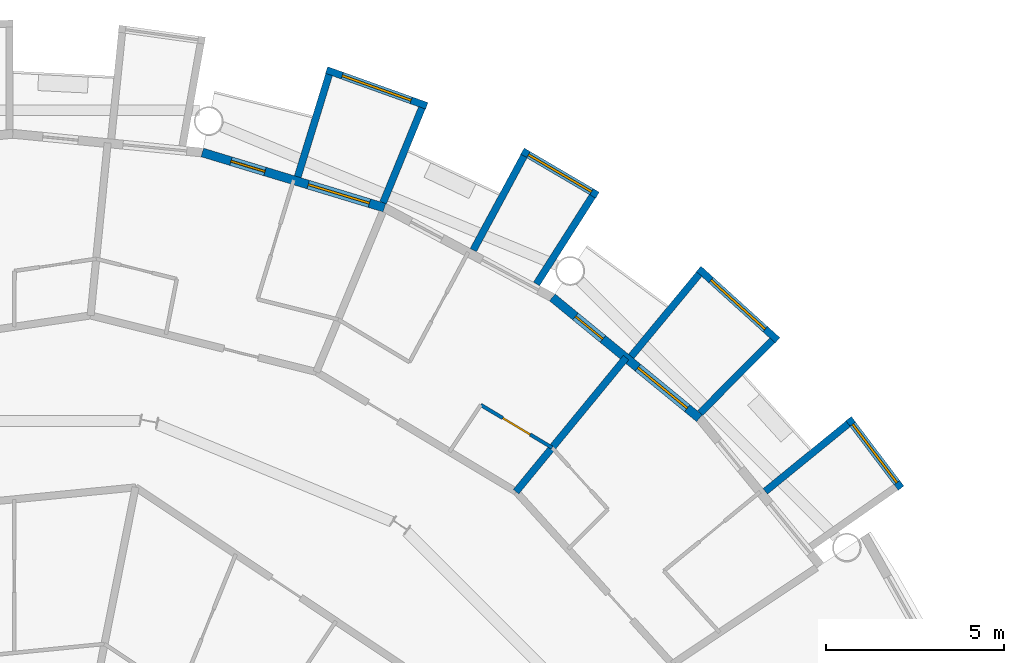
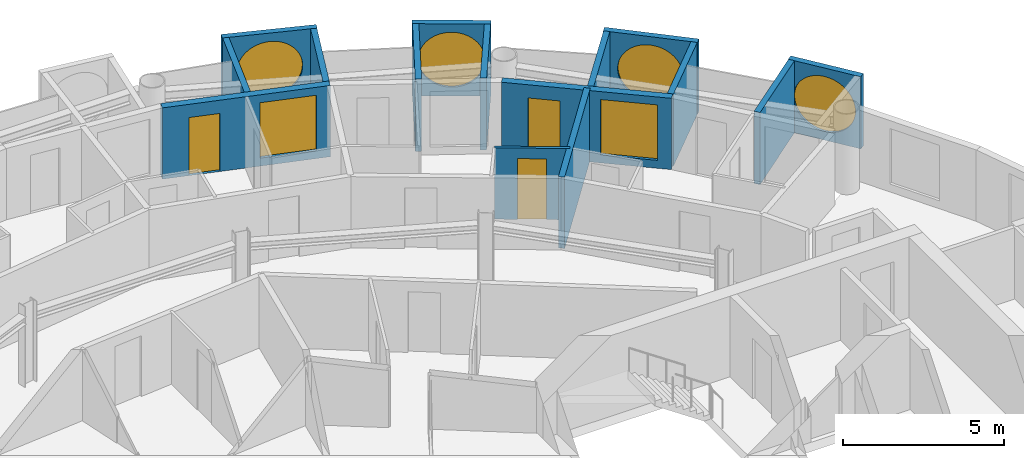
# One storey, part 23 of 27: 15 walls, 6 windows, 3 doors, 9 openings.
"""IFC4 building model written with IfcOpenShell, lengths in metres."""

from ifc_helpers import new_model, si_unit, direction, frame, frame_2d, origin, place, context, subcontext, project, spatial, rectangle, circle, extrude, material, layer, layer_set, type_object, element, fill, save


model = new_model("IFC4")

# Units and contexts
model_context = context("Model", 3, precision=1e-05, world=origin(), true_north=direction((0.0, 1.0)))
body_context = subcontext(model_context, "Body", "Model", "MODEL_VIEW")
ifc_project = project(units=[si_unit("LENGTHUNIT", "METRE"), si_unit("AREAUNIT", "SQUARE_METRE"), si_unit("VOLUMEUNIT", "CUBIC_METRE"), si_unit("PLANEANGLEUNIT", "RADIAN"), si_unit("MASSUNIT", "GRAM", prefix="KILO")], contexts=[model_context])

# Site, building, storey
site_placement = place(None, origin())
site = spatial("IfcSite", under=ifc_project, at=site_placement, CompositionType="ELEMENT")
building_placement = place(site_placement, origin())
building = spatial("IfcBuilding", under=site, at=building_placement, Name="Maasbend Ring Residences", CompositionType="ELEMENT")
storey_placement = place(building_placement, frame((0.0, 0.0, 148.25)))
storey = spatial("IfcBuildingStorey", under=building, at=storey_placement, Name="L42", CompositionType="ELEMENT", Elevation=148.25)

# Wall, opening, window
ifc_material_1 = material(Name="Pale anodised aluminium panel", Category="aluminium")
ifc_layer_1 = layer(ifc_material_1, 0.199951171875)
ifc_layer_set_1 = layer_set([ifc_layer_1], Name="EW-BOX")
wall_type_1 = type_object("IfcWallType", Name="EW-BOX", PredefinedType="SOLIDWALL", material=ifc_layer_set_1)
wall_1_placement = place(storey_placement, frame((24.971923828125, 17.3369140625, -0.030029296875), z_axis=(0.0, 0.0, 1.0), x_axis=(-0.602806268067, 0.797887588059, 0.0)))
wall_1 = element("IfcWall", 1, at=wall_1_placement, inside=storey, type_object=wall_type_1, Name="Box front N01", PredefinedType="SOLIDWALL", context=body_context, shape_type="SweptSolid", body=[
    extrude(rectangle(XDim=2.446533203125, YDim=0.199951171875, at=frame_2d((1.22314453125, 0.0))), origin(), (0.0, 0.0, 1.0), 2.72998046875),
])
opening_1_placement = place(wall_1_placement, frame((0.182861328125, 0.0, 0.330078125)))
opening_1 = element("IfcOpeningElement", 2, at=opening_1_placement, cuts=wall_1, Name="Opening W-RD", PredefinedType="OPENING", context=body_context, shape_type="SweptSolid", body=[
    extrude(circle(Radius=1.0400390625, at=frame_2d((1.0400390625, 1.0400390625))), frame((0.0, 0.10986328125, 0.0), z_axis=(0.0, -1.0, 0.0), x_axis=(1.0, 0.0, 0.0)), (0.0, 0.0, 1.0), 0.219970703125),
])
ifc_material_2 = material(Name="Aluminium and clear glass", Category="aluminium")
window_type_1 = type_object("IfcWindowType", Name="W-RD", PartitioningType="SINGLE_PANEL", PredefinedType="WINDOW", material=ifc_material_2)
window_1_placement = place(opening_1_placement, origin())
window_1 = element("IfcWindow", 3, at=window_1_placement, inside=storey, type_object=window_type_1, Name="Round window N01", OverallHeight=2.080078125, OverallWidth=2.080078125, PartitioningType="SINGLE_PANEL", PredefinedType="WINDOW", context=body_context, shape_type="SweptSolid", body=[
    extrude(circle(Radius=1.0400390625, at=frame_2d((1.0400390625, 1.0400390625))), frame((0.0, 0.030029296875, 0.0), z_axis=(0.0, -1.0, 0.0), x_axis=(1.0, 0.0, 0.0)), (0.0, 0.0, 1.0), 0.06005859375),
])
fill(opening_1, window_1)

# Wall
wall_2_placement = place(storey_placement, frame((21.155029296875, 17.24609375, -0.030029296875), z_axis=(0.0, 0.0, 1.0), x_axis=(0.775179004516, 0.631741648902, 0.0)))
element("IfcWall", 4, at=wall_2_placement, inside=storey, type_object=wall_type_1, Name="Box side wall N01 right", PredefinedType="SOLIDWALL", context=body_context, shape_type="SweptSolid", body=[
    extrude(rectangle(XDim=3.005859375, YDim=0.199951171875, at=frame_2d((1.5029296875, 0.0))), origin(), (0.0, 0.0, 1.0), 2.72998046875),
])

# Wall, opening, window
wall_3_placement = place(storey_placement, frame((21.5, 21.492919921875, -0.030029296875), z_axis=(0.0, 0.0, 1.0), x_axis=(-0.740998365753, 0.671506829416, 0.0)))
wall_3 = element("IfcWall", 5, at=wall_3_placement, inside=storey, type_object=wall_type_1, Name="Box front N03", PredefinedType="SOLIDWALL", context=body_context, shape_type="SweptSolid", body=[
    extrude(rectangle(XDim=2.9931640625, YDim=0.199951171875, at=frame_2d((1.49658203125, 0.0))), origin(), (0.0, 0.0, 1.0), 2.72998046875),
])
opening_2_placement = place(wall_3_placement, frame((0.45654296875, 0.0, 0.330078125)))
opening_2 = element("IfcOpeningElement", 6, at=opening_2_placement, cuts=wall_3, Name="Opening W-RD", PredefinedType="OPENING", context=body_context, shape_type="SweptSolid", body=[
    extrude(circle(Radius=1.0400390625, at=frame_2d((1.0400390625, 1.0400390625))), frame((0.0, 0.10986328125, 0.0), z_axis=(0.0, -1.0, 0.0), x_axis=(1.0, 0.0, 0.0)), (0.0, 0.0, 1.0), 0.219970703125),
])
window_2_placement = place(opening_2_placement, origin())
window_2 = element("IfcWindow", 7, at=window_2_placement, inside=storey, type_object=window_type_1, Name="Round window N03", OverallHeight=2.080078125, OverallWidth=2.080078125, PartitioningType="SINGLE_PANEL", PredefinedType="WINDOW", context=body_context, shape_type="SweptSolid", body=[
    extrude(circle(Radius=1.0400390625, at=frame_2d((1.0400390625, 1.0400390625))), frame((0.0, 0.030029296875, 0.0), z_axis=(0.0, -1.0, 0.0), x_axis=(1.0, 0.0, 0.0)), (0.0, 0.0, 1.0), 0.06005859375),
])
fill(opening_2, window_2)

# Walls
wall_4_placement = place(storey_placement, frame((19.322998046875, 19.449951171875, -0.030029296875), z_axis=(0.0, 0.0, 1.0), x_axis=(0.704476739375, 0.709727076896, 0.0)))
element("IfcWall", 8, at=wall_4_placement, inside=storey, type_object=wall_type_1, Name="Box side wall N03 left", PredefinedType="SOLIDWALL", context=body_context, shape_type="SweptSolid", body=[
    extrude(rectangle(XDim=2.883056640625, YDim=0.199951171875, at=frame_2d((1.44140625, 0.0))), origin(), (0.0, 0.0, 1.0), 2.72998046875),
])
wall_5_placement = place(storey_placement, frame((17.384033203125, 21.041015625, -0.030029296875), z_axis=(0.0, 0.0, 1.0), x_axis=(0.63709551667, 0.770784861449, 0.0)))
element("IfcWall", 9, at=wall_5_placement, inside=storey, type_object=wall_type_1, Name="Box side wall N03 right", PredefinedType="SOLIDWALL", context=body_context, shape_type="SweptSolid", body=[
    extrude(rectangle(XDim=3.005859375, YDim=0.199951171875, at=frame_2d((1.5029296875, 0.0))), origin(), (0.0, 0.0, 1.0), 2.72998046875),
])

# Wall, opening, window
wall_6_placement = place(storey_placement, frame((16.43603515625, 25.573974609375, -0.030029296875), z_axis=(0.0, 0.0, 1.0), x_axis=(-0.862403467503, 0.506221551535, 0.0)))
wall_6 = element("IfcWall", 10, at=wall_6_placement, inside=storey, type_object=wall_type_1, Name="Box front N05", PredefinedType="SOLIDWALL", context=body_context, shape_type="SweptSolid", body=[
    extrude(rectangle(XDim=2.445556640625, YDim=0.199951171875, at=frame_2d((1.22265625, 0.0))), origin(), (0.0, 0.0, 1.0), 2.72998046875),
])
opening_3_placement = place(wall_6_placement, frame((0.182861328125, 0.0, 0.330078125)))
opening_3 = element("IfcOpeningElement", 11, at=opening_3_placement, cuts=wall_6, Name="Opening W-RD", PredefinedType="OPENING", context=body_context, shape_type="SweptSolid", body=[
    extrude(circle(Radius=1.0400390625, at=frame_2d((1.0400390625, 1.0400390625))), frame((0.0, 0.10986328125, 0.0), z_axis=(0.0, -1.0, 0.0), x_axis=(1.0, 0.0, 0.0)), (0.0, 0.0, 1.0), 0.219970703125),
])
window_3_placement = place(opening_3_placement, origin())
window_3 = element("IfcWindow", 12, at=window_3_placement, inside=storey, type_object=window_type_1, Name="Round window N05", OverallHeight=2.080078125, OverallWidth=2.080078125, PartitioningType="SINGLE_PANEL", PredefinedType="WINDOW", context=body_context, shape_type="SweptSolid", body=[
    extrude(circle(Radius=1.0400390625, at=frame_2d((1.0400390625, 1.0400390625))), frame((0.0, 0.030029296875, 0.0), z_axis=(0.0, -1.0, 0.0), x_axis=(1.0, 0.0, 0.0)), (0.0, 0.0, 1.0), 0.06005859375),
])
fill(opening_3, window_3)

# Walls
wall_7_placement = place(storey_placement, frame((14.721923828125, 23.0791015625, -0.030029296875), z_axis=(0.0, 0.0, 1.0), x_axis=(0.537572179146, 0.843217737129, 0.0)))
element("IfcWall", 13, at=wall_7_placement, inside=storey, type_object=wall_type_1, Name="Box side wall N05 left", PredefinedType="SOLIDWALL", context=body_context, shape_type="SweptSolid", body=[
    extrude(rectangle(XDim=2.92431640625, YDim=0.199951171875, at=frame_2d((1.462158203125, 0.0))), origin(), (0.0, 0.0, 1.0), 2.72998046875),
])
wall_8_placement = place(storey_placement, frame((12.945068359375, 24.029052734375, -0.030029296875), z_axis=(0.0, 0.0, 1.0), x_axis=(0.474424310775, 0.88029629861, 0.0)))
element("IfcWall", 14, at=wall_8_placement, inside=storey, type_object=wall_type_1, Name="Box side wall N05 right", PredefinedType="SOLIDWALL", context=body_context, shape_type="SweptSolid", body=[
    extrude(rectangle(XDim=3.005859375, YDim=0.199951171875, at=frame_2d((1.5029296875, 0.0))), origin(), (0.0, 0.0, 1.0), 2.72998046875),
])

# Wall, opening, window
wall_9_placement = place(storey_placement, frame((11.637939453125, 28.083984375, -0.030029296875), z_axis=(0.0, 0.0, 1.0), x_axis=(-0.941461077774, 0.337121697664, 0.0)))
wall_9 = element("IfcWall", 15, at=wall_9_placement, inside=storey, type_object=wall_type_1, Name="Box front N07", PredefinedType="SOLIDWALL", context=body_context, shape_type="SweptSolid", body=[
    extrude(rectangle(XDim=2.9931640625, YDim=0.199951171875, at=frame_2d((1.49658203125, 0.0))), origin(), (0.0, 0.0, 1.0), 2.72998046875),
])
opening_4_placement = place(wall_9_placement, frame((0.45654296875, 0.0, 0.330078125)))
opening_4 = element("IfcOpeningElement", 16, at=opening_4_placement, cuts=wall_9, Name="Opening W-RD", PredefinedType="OPENING", context=body_context, shape_type="SweptSolid", body=[
    extrude(circle(Radius=1.0400390625, at=frame_2d((1.0400390625, 1.0400390625))), frame((0.0, 0.10986328125, 0.0), z_axis=(0.0, -1.0, 0.0), x_axis=(1.0, 0.0, 0.0)), (0.0, 0.0, 1.0), 0.219970703125),
])
window_4_placement = place(opening_4_placement, origin())
window_4 = element("IfcWindow", 17, at=window_4_placement, inside=storey, type_object=window_type_1, Name="Round window N07", OverallHeight=2.080078125, OverallWidth=2.080078125, PartitioningType="SINGLE_PANEL", PredefinedType="WINDOW", context=body_context, shape_type="SweptSolid", body=[
    extrude(circle(Radius=1.0400390625, at=frame_2d((1.0400390625, 1.0400390625))), frame((0.0, 0.030029296875, 0.0), z_axis=(0.0, -1.0, 0.0), x_axis=(1.0, 0.0, 0.0)), (0.0, 0.0, 1.0), 0.06005859375),
])
fill(opening_4, window_4)

# Walls
wall_10_placement = place(storey_placement, frame((10.408935546875, 25.364013671875, -0.030029296875), z_axis=(0.0, 0.0, 1.0), x_axis=(0.379509886562, 0.925187681501, 0.0)))
element("IfcWall", 18, at=wall_10_placement, inside=storey, type_object=wall_type_1, Name="Box side wall N07 left", PredefinedType="SOLIDWALL", context=body_context, shape_type="SweptSolid", body=[
    extrude(rectangle(XDim=2.882568359375, YDim=0.199951171875, at=frame_2d((1.44140625, 0.0))), origin(), (0.0, 0.0, 1.0), 2.72998046875),
])
wall_11_placement = place(storey_placement, frame((8.009033203125, 26.092041015625, -0.030029296875), z_axis=(0.0, 0.0, 1.0), x_axis=(0.293406695073, 0.955987715029, 0.0)))
element("IfcWall", 19, at=wall_11_placement, inside=storey, type_object=wall_type_1, Name="Box side wall N07 right", PredefinedType="SOLIDWALL", context=body_context, shape_type="SweptSolid", body=[
    extrude(rectangle(XDim=3.00634765625, YDim=0.199951171875, at=frame_2d((1.503173828125, 0.0))), origin(), (0.0, 0.0, 1.0), 2.72998046875),
])

# Wall, openings, door, window
ifc_material_3 = material(Name="Aluminium clad insulated panel", Category="aluminium")
ifc_layer_2 = layer(ifc_material_3, 0.25)
ifc_layer_set_2 = layer_set([ifc_layer_2], Name="EW-GL")
wall_type_2 = type_object("IfcWallType", Name="EW-GL", PredefinedType="SOLIDWALL", material=ifc_layer_set_2)
wall_12_placement = place(storey_placement, frame((19.303955078125, 19.303955078125, 0.0), z_axis=(0.0, 0.0, 1.0), x_axis=(-0.773019449054, 0.634382322723, 0.0)))
wall_12 = element("IfcWall", 20, at=wall_12_placement, inside=storey, type_object=wall_type_2, Name="External wall N02", PredefinedType="SOLIDWALL", context=body_context, shape_type="SweptSolid", body=[
    extrude(rectangle(XDim=5.351806640625, YDim=0.25, at=frame_2d((2.67578125, 0.0))), origin(), (0.0, 0.0, 1.0), 2.699951171875),
])
opening_5_placement = place(wall_12_placement, frame((0.441162109375, 0.0, 0.300048828125)))
opening_5 = element("IfcOpeningElement", 21, at=opening_5_placement, cuts=wall_12, Name="Opening W-BX", PredefinedType="OPENING", context=body_context, shape_type="SweptSolid", body=[
    extrude(rectangle(XDim=1.800048828125, YDim=2.10009765625, at=frame_2d((0.89990234375, 1.050048828125))), frame((0.0, 0.135009765625, 0.0), z_axis=(0.0, -1.0, 0.0), x_axis=(1.0, 0.0, 0.0)), (0.0, 0.0, 1.0), 0.27001953125),
])
opening_6_placement = place(wall_12_placement, frame((3.510498046875, 0.0, 0.0)))
opening_6 = element("IfcOpeningElement", 22, at=opening_6_placement, cuts=wall_12, Name="Opening D-LG", PredefinedType="OPENING", context=body_context, shape_type="SweptSolid", body=[
    extrude(rectangle(XDim=1.0, YDim=2.199951171875, at=frame_2d((0.5, 1.10009765625))), frame((0.0, 0.135009765625, 0.0), z_axis=(0.0, -1.0, 0.0), x_axis=(1.0, 0.0, 0.0)), (0.0, 0.0, 1.0), 0.27001953125),
])
ifc_material_4 = material(Name="Aluminium and clear glass", Category="aluminium")
door_type_1 = type_object("IfcDoorType", Name="D-LG", OperationType="SINGLE_SWING_LEFT", PredefinedType="DOOR", material=ifc_material_4)
door_1_placement = place(opening_6_placement, origin())
door_1 = element("IfcDoor", 23, at=door_1_placement, inside=storey, type_object=door_type_1, Name="Loggia door N04", OperationType="SINGLE_SWING_LEFT", OverallHeight=2.199951171875, OverallWidth=1.0, PredefinedType="DOOR", context=body_context, shape_type="SweptSolid", body=[
    extrude(rectangle(XDim=1.0, YDim=2.199951171875, at=frame_2d((0.5, 1.10009765625))), frame((0.0, 0.02490234375, 0.0), z_axis=(0.0, -1.0, 0.0), x_axis=(1.0, 0.0, 0.0)), (0.0, 0.0, 1.0), 0.050048828125),
])
fill(opening_6, door_1)
ifc_material_5 = material(Name="Aluminium and clear glass", Category="aluminium")
window_type_2 = type_object("IfcWindowType", Name="W-BX", PartitioningType="DOUBLE_PANEL_VERTICAL", PredefinedType="WINDOW", material=ifc_material_5)
window_5_placement = place(opening_5_placement, origin())
window_5 = element("IfcWindow", 24, at=window_5_placement, inside=storey, type_object=window_type_2, Name="Window N03 room to box", OverallHeight=2.10009765625, OverallWidth=1.800048828125, PartitioningType="SINGLE_PANEL", PredefinedType="WINDOW", context=body_context, shape_type="SweptSolid", body=[
    extrude(rectangle(XDim=1.800048828125, YDim=2.10009765625, at=frame_2d((0.89990234375, 1.050048828125))), frame((0.0, 0.030029296875, 0.0), z_axis=(0.0, -1.0, 0.0), x_axis=(1.0, 0.0, 0.0)), (0.0, 0.0, 1.0), 0.06005859375),
])
fill(opening_5, window_5)

wall_13_placement = place(storey_placement, frame((10.447021484375, 25.221923828125, 0.0), z_axis=(0.0, 0.0, 1.0), x_axis=(-0.956965678721, 0.290201119486, 0.0)))
wall_13 = element("IfcWall", 25, at=wall_13_placement, inside=storey, type_object=wall_type_2, Name="External wall N04", PredefinedType="SOLIDWALL", context=body_context, shape_type="SweptSolid", body=[
    extrude(rectangle(XDim=5.351318359375, YDim=0.25, at=frame_2d((2.67578125, 0.0))), origin(), (0.0, 0.0, 1.0), 2.699951171875),
])
opening_7_placement = place(wall_13_placement, frame((0.441162109375, 0.0, 0.300048828125)))
opening_7 = element("IfcOpeningElement", 26, at=opening_7_placement, cuts=wall_13, Name="Opening W-BX", PredefinedType="OPENING", context=body_context, shape_type="SweptSolid", body=[
    extrude(rectangle(XDim=1.800048828125, YDim=2.10009765625, at=frame_2d((0.89990234375, 1.050048828125))), frame((0.0, 0.135009765625, 0.0), z_axis=(0.0, -1.0, 0.0), x_axis=(1.0, 0.0, 0.0)), (0.0, 0.0, 1.0), 0.27001953125),
])
opening_8_placement = place(wall_13_placement, frame((3.510498046875, 0.0, 0.0)))
opening_8 = element("IfcOpeningElement", 27, at=opening_8_placement, cuts=wall_13, Name="Opening D-LG", PredefinedType="OPENING", context=body_context, shape_type="SweptSolid", body=[
    extrude(rectangle(XDim=1.0, YDim=2.199951171875, at=frame_2d((0.5, 1.10009765625))), frame((0.0, 0.135009765625, 0.0), z_axis=(0.0, -1.0, 0.0), x_axis=(1.0, 0.0, 0.0)), (0.0, 0.0, 1.0), 0.27001953125),
])
door_2_placement = place(opening_8_placement, origin())
door_2 = element("IfcDoor", 28, at=door_2_placement, inside=storey, type_object=door_type_1, Name="Loggia door N08", OperationType="SINGLE_SWING_LEFT", OverallHeight=2.199951171875, OverallWidth=1.0, PredefinedType="DOOR", context=body_context, shape_type="SweptSolid", body=[
    extrude(rectangle(XDim=1.0, YDim=2.199951171875, at=frame_2d((0.5, 1.10009765625))), frame((0.0, 0.02490234375, 0.0), z_axis=(0.0, -1.0, 0.0), x_axis=(1.0, 0.0, 0.0)), (0.0, 0.0, 1.0), 0.050048828125),
])
fill(opening_8, door_2)
window_6_placement = place(opening_7_placement, origin())
window_6 = element("IfcWindow", 29, at=window_6_placement, inside=storey, type_object=window_type_2, Name="Window N07 room to box", OverallHeight=2.10009765625, OverallWidth=1.800048828125, PartitioningType="SINGLE_PANEL", PredefinedType="WINDOW", context=body_context, shape_type="SweptSolid", body=[
    extrude(rectangle(XDim=1.800048828125, YDim=2.10009765625, at=frame_2d((0.89990234375, 1.050048828125))), frame((0.0, 0.030029296875, 0.0), z_axis=(0.0, -1.0, 0.0), x_axis=(1.0, 0.0, 0.0)), (0.0, 0.0, 1.0), 0.06005859375),
])
fill(opening_7, window_6)

# Wall, opening, door
ifc_material_6 = material(Name="Gypsum board on steel studs", Category="steel")
ifc_layer_3 = layer(ifc_material_6, 0.10009765625)
ifc_layer_set_3 = layer_set([ifc_layer_3], Name="PARTITION 100 GYPSUM")
wall_type_3 = type_object("IfcWallType", Name="PARTITION 100 GYPSUM", PredefinedType="PARTITIONING", material=ifc_layer_set_3)
wall_14_placement = place(storey_placement, frame((13.156982421875, 19.677001953125, 0.0), z_axis=(0.0, 0.0, 1.0), x_axis=(0.857714000218, -0.514127118358, 0.0)))
wall_14 = element("IfcWall", 30, at=wall_14_placement, inside=storey, type_object=wall_type_3, Name="U-L42-w116", PredefinedType="PARTITIONING", context=body_context, shape_type="SweptSolid", body=[
    extrude(rectangle(XDim=2.337646484375, YDim=0.10009765625, at=frame_2d((1.1689453125, 0.0))), origin(), (0.0, 0.0, 1.0), 2.699951171875),
])
opening_9_placement = place(wall_14_placement, frame((0.718994140625, 0.0, 0.0)))
opening_9 = element("IfcOpeningElement", 31, at=opening_9_placement, cuts=wall_14, Name="Opening D-4205", PredefinedType="OPENING", context=body_context, shape_type="SweptSolid", body=[
    extrude(rectangle(XDim=0.89990234375, YDim=2.300048828125, at=frame_2d((0.449951171875, 1.14990234375))), frame((0.0, 0.06005859375, 0.0), z_axis=(0.0, -1.0, 0.0), x_axis=(1.0, 0.0, 0.0)), (0.0, 0.0, 1.0), 0.1201171875),
])
ifc_material_7 = material(Name="Timber, painted", Category="wood")
door_type_2 = type_object("IfcDoorType", Name="INTERNAL DOOR 900 X 2300", OperationType="NOTDEFINED", PredefinedType="DOOR", material=ifc_material_7)
door_3_placement = place(opening_9_placement, origin())
door_3 = element("IfcDoor", 32, at=door_3_placement, inside=storey, type_object=door_type_2, Name="D-4205", OperationType="SINGLE_SWING_RIGHT", OverallHeight=2.300048828125, OverallWidth=0.89990234375, PredefinedType="DOOR", context=body_context, shape_type="SweptSolid", body=[
    extrude(rectangle(XDim=0.89990234375, YDim=2.300048828125, at=frame_2d((0.449951171875, 1.14990234375))), frame((0.0, 0.02490234375, 0.0), z_axis=(0.0, -1.0, 0.0), x_axis=(1.0, 0.0, 0.0)), (0.0, 0.0, 1.0), 0.050048828125),
])
fill(opening_9, door_3)

# Wall
ifc_material_8 = material(Name="Concrete C30/37", Category="concrete")
ifc_layer_4 = layer(ifc_material_8, 0.199951171875)
ifc_layer_set_4 = layer_set([ifc_layer_4], Name="Concrete C30/37")
wall_type_4 = type_object("IfcWallType", Name="PARTY WALL 200 CONCRETE", PredefinedType="PARTITIONING", material=ifc_layer_set_4)
wall_15_placement = place(storey_placement, frame((14.14697265625, 17.238037109375, 0.0), z_axis=(0.0, 0.0, 1.0), x_axis=(0.634374159378, 0.773026148273, 0.0)))
element("IfcWall", 33, at=wall_15_placement, inside=storey, type_object=wall_type_4, Name="U-L42-w076", PredefinedType="PARTITIONING", context=body_context, shape_type="SweptSolid", body=[
    extrude(rectangle(XDim=4.875732421875, YDim=0.199951171875, at=frame_2d((2.43798828125, 0.0))), origin(), (0.0, 0.0, 1.0), 2.699951171875),
])

save(model, "model.ifc")
